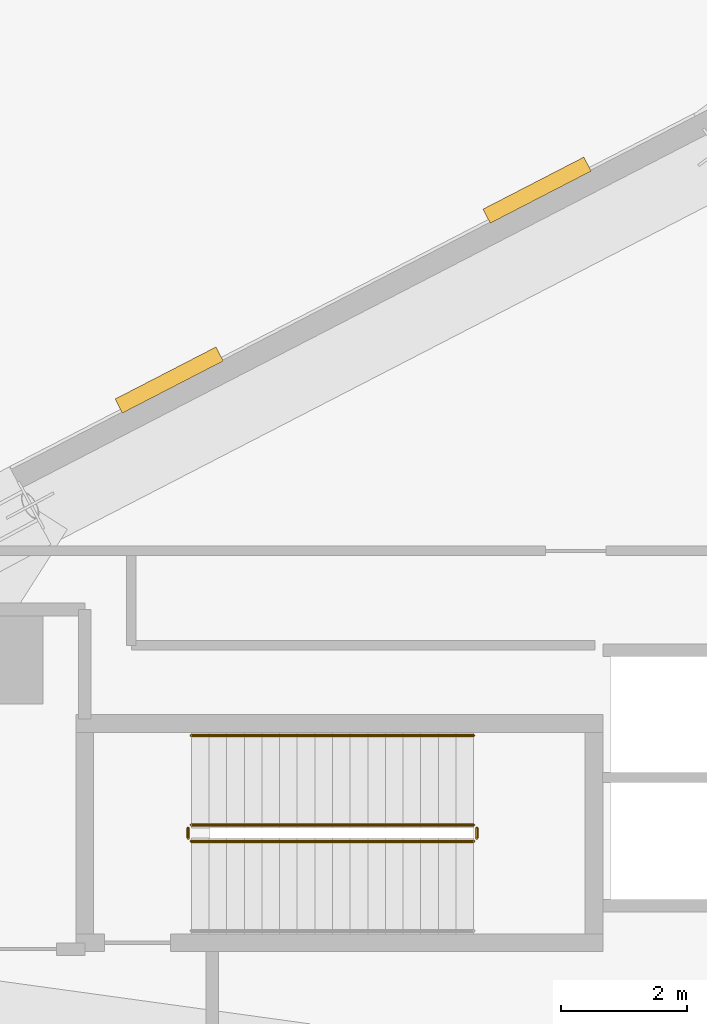
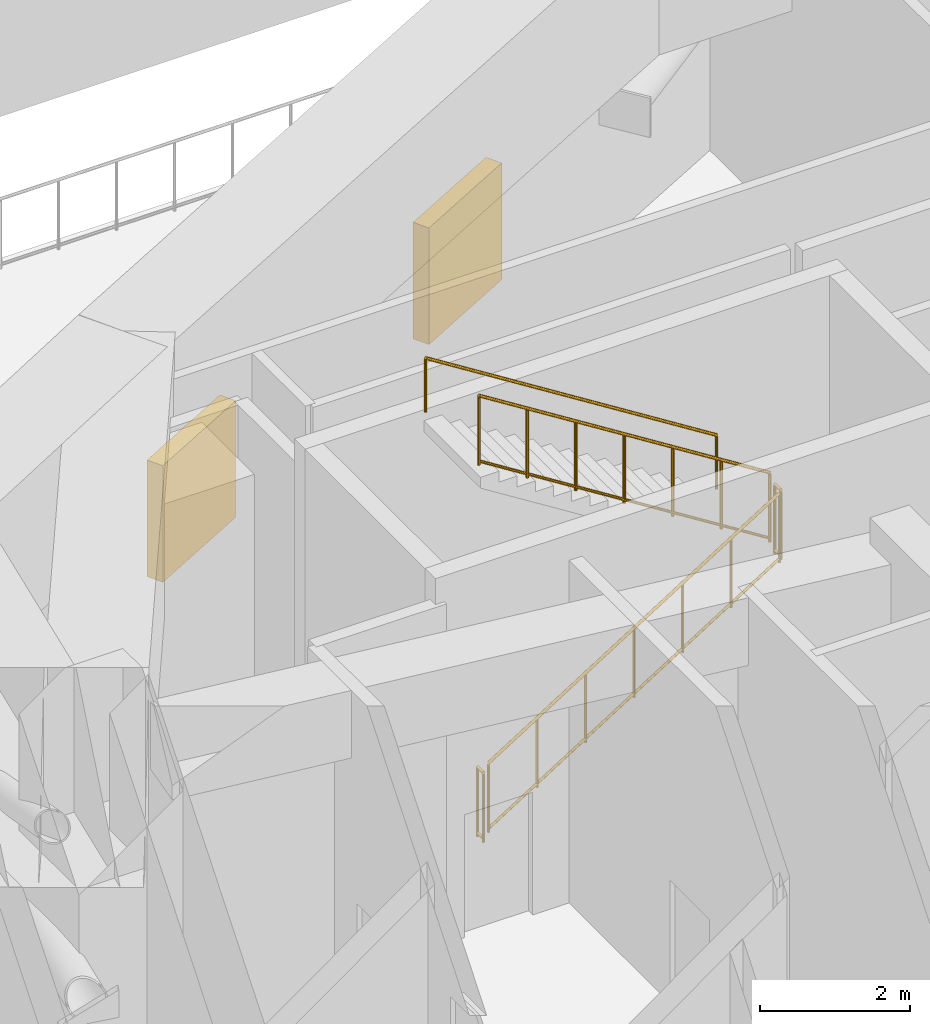
# One storey, part 14 of 15: 5 railings, 2 shading devices.
"""IFC4 building model written with IfcOpenShell, lengths in metres."""

from ifc_helpers import new_model, si_unit, direction, frame, origin, origin_2d, place, context, subcontext, project, spatial, rectangle, circle, extrude, material, type_object, element, save


model = new_model("IFC4")

# Units and contexts
model_context = context("Model", 3, precision=1e-05, world=origin(), true_north=direction((0.0, 1.0)))
body_context = subcontext(model_context, "Body", "Model", "MODEL_VIEW")
ifc_project = project(units=[si_unit("LENGTHUNIT", "METRE"), si_unit("AREAUNIT", "SQUARE_METRE"), si_unit("VOLUMEUNIT", "CUBIC_METRE"), si_unit("PLANEANGLEUNIT", "RADIAN"), si_unit("MASSUNIT", "GRAM", prefix="KILO"), si_unit("THERMODYNAMICTEMPERATUREUNIT", "KELVIN"), si_unit("POWERUNIT", "WATT")], contexts=[model_context])

# Site, building, storey
site_placement = place(None, origin())
site = spatial("IfcSite", under=ifc_project, at=site_placement, CompositionType="ELEMENT")
building_placement = place(site_placement, origin())
building = spatial("IfcBuilding", under=site, at=building_placement, Name="Skarre Station Tower", CompositionType="ELEMENT")
storey_placement = place(building_placement, frame((0.0, 0.0, 21.0)))
storey = spatial("IfcBuildingStorey", under=building, at=storey_placement, Name="L05", CompositionType="ELEMENT", Elevation=21.0)

# Railings
ifc_material_1 = material(Name="Powder-Coated Tubular Steel", Category="steel")
railing_type_1 = type_object("IfcRailingType", Name="Painted Steel Ramp & Stair Handrail 920", PredefinedType="HANDRAIL", material=ifc_material_1)
railing_1_placement = place(storey_placement, frame((27.830078125, 34.64990234375, 3.176513671875)))
element("IfcRailing", 1, at=railing_1_placement, inside=storey, type_object=railing_type_1, Name="L05 ST-3 stair handrail 2", PredefinedType="HANDRAIL", context=body_context, shape_type="SweptSolid", body=[
    extrude(circle(Radius=0.02392578125, at=origin_2d()), frame((0.0, 0.0, 0.8759765625), z_axis=(-0.845997938375, 0.0, 0.533186166611), x_axis=(0.0, -1.0, 0.0)), (0.0, 0.0, 1.0), 5.29541015625),
    extrude(circle(Radius=0.02099609375, at=origin_2d()), origin(), (0.0, 0.0, 1.0), 0.851806640625),
    extrude(circle(Radius=0.02099609375, at=origin_2d()), frame((-4.47998046875, 0.0, 2.823486328125)), (0.0, 0.0, 1.0), 0.851806640625),
])
railing_type_2 = type_object("IfcRailingType", Name="Painted Steel Stairwell Guardrail 1100", PredefinedType="GUARDRAIL", material=ifc_material_1)
railing_2_placement = place(storey_placement, frame((23.35009765625, 32.969970703125, 0.176513671875)))
element("IfcRailing", 2, at=railing_2_placement, inside=storey, type_object=railing_type_2, Name="L05 ST-3 stair guard 1", PredefinedType="GUARDRAIL", context=body_context, shape_type="SweptSolid", body=[
    extrude(circle(Radius=0.02392578125, at=origin_2d()), frame((0.0, 0.0, 1.1259765625), z_axis=(0.845997938375, 0.0, 0.533186166611), x_axis=(0.0, 1.0, 0.0)), (0.0, 0.0, 1.0), 5.29541015625),
    extrude(circle(Radius=0.02099609375, at=origin_2d()), frame((0.0, 0.0, 0.06005859375), z_axis=(0.845997938375, 0.0, 0.533186166611), x_axis=(0.0, 1.0, 0.0)), (0.0, 0.0, 1.0), 5.29541015625),
    extrude(circle(Radius=0.02099609375, at=origin_2d()), origin(), (0.0, 0.0, 1.0), 1.101806640625),
    extrude(circle(Radius=0.02099609375, at=origin_2d()), frame((0.74658203125, 0.0, 0.470703125)), (0.0, 0.0, 1.0), 1.101806640625),
    extrude(circle(Radius=0.02099609375, at=origin_2d()), frame((1.493408203125, 0.0, 0.941162109375)), (0.0, 0.0, 1.0), 1.101806640625),
    extrude(circle(Radius=0.02099609375, at=origin_2d()), frame((2.239990234375, 0.0, 1.41162109375)), (0.0, 0.0, 1.0), 1.101806640625),
    extrude(circle(Radius=0.02099609375, at=origin_2d()), frame((2.986572265625, 0.0, 1.88232421875)), (0.0, 0.0, 1.0), 1.101806640625),
    extrude(circle(Radius=0.02099609375, at=origin_2d()), frame((3.7333984375, 0.0, 2.35302734375)), (0.0, 0.0, 1.0), 1.101806640625),
    extrude(circle(Radius=0.02099609375, at=origin_2d()), frame((4.47998046875, 0.0, 2.823486328125)), (0.0, 0.0, 1.0), 1.101806640625),
])
railing_3_placement = place(storey_placement, frame((27.8798828125, 33.02001953125, 3.0)))
element("IfcRailing", 3, at=railing_3_placement, inside=storey, type_object=railing_type_2, Name="L05 ST-3 stair guard 2", PredefinedType="GUARDRAIL", context=body_context, shape_type="SweptSolid", body=[
    extrude(circle(Radius=0.02392578125, at=origin_2d()), frame((0.0, 0.0, 1.1259765625), z_axis=(0.0, 1.0, 0.0), x_axis=(-1.0, 0.0, 0.0)), (0.0, 0.0, 1.0), 0.159912109375),
    extrude(circle(Radius=0.02099609375, at=origin_2d()), frame((0.0, 0.0, 0.06005859375), z_axis=(0.0, 1.0, 0.0), x_axis=(-1.0, 0.0, 0.0)), (0.0, 0.0, 1.0), 0.159912109375),
    extrude(circle(Radius=0.02099609375, at=origin_2d()), origin(), (0.0, 0.0, 1.0), 1.101806640625),
    extrude(circle(Radius=0.02099609375, at=origin_2d()), frame((0.0, 0.159912109375, 0.0)), (0.0, 0.0, 1.0), 1.101806640625),
])
railing_4_placement = place(storey_placement, frame((27.830078125, 33.22998046875, 3.176513671875)))
element("IfcRailing", 4, at=railing_4_placement, inside=storey, type_object=railing_type_2, Name="L05 ST-3 stair guard 3", PredefinedType="GUARDRAIL", context=body_context, shape_type="SweptSolid", body=[
    extrude(circle(Radius=0.02392578125, at=origin_2d()), frame((0.0, 0.0, 1.1259765625), z_axis=(-0.845997938375, 0.0, 0.533186166611), x_axis=(0.0, -1.0, 0.0)), (0.0, 0.0, 1.0), 5.29541015625),
    extrude(circle(Radius=0.02099609375, at=origin_2d()), frame((0.0, 0.0, 0.06005859375), z_axis=(-0.845997938375, 0.0, 0.533186166611), x_axis=(0.0, -1.0, 0.0)), (0.0, 0.0, 1.0), 5.29541015625),
    extrude(circle(Radius=0.02099609375, at=origin_2d()), origin(), (0.0, 0.0, 1.0), 1.101806640625),
    extrude(circle(Radius=0.02099609375, at=origin_2d()), frame((-0.74658203125, 0.0, 0.470703125)), (0.0, 0.0, 1.0), 1.101806640625),
    extrude(circle(Radius=0.02099609375, at=origin_2d()), frame((-1.493408203125, 0.0, 0.941162109375)), (0.0, 0.0, 1.0), 1.101806640625),
    extrude(circle(Radius=0.02099609375, at=origin_2d()), frame((-2.239990234375, 0.0, 1.41162109375)), (0.0, 0.0, 1.0), 1.101806640625),
    extrude(circle(Radius=0.02099609375, at=origin_2d()), frame((-2.986572265625, 0.0, 1.88232421875)), (0.0, 0.0, 1.0), 1.101806640625),
    extrude(circle(Radius=0.02099609375, at=origin_2d()), frame((-3.7333984375, 0.0, 2.35302734375)), (0.0, 0.0, 1.0), 1.101806640625),
    extrude(circle(Radius=0.02099609375, at=origin_2d()), frame((-4.47998046875, 0.0, 2.823486328125)), (0.0, 0.0, 1.0), 1.101806640625),
])
railing_5_placement = place(storey_placement, frame((23.300048828125, 33.02001953125, 0.0)))
element("IfcRailing", 5, at=railing_5_placement, inside=storey, type_object=railing_type_2, Name="L05 ST-3 stair guard 4", PredefinedType="GUARDRAIL", context=body_context, shape_type="SweptSolid", body=[
    extrude(circle(Radius=0.02392578125, at=origin_2d()), frame((0.0, 0.0, 1.1259765625), z_axis=(0.0, 1.0, 0.0), x_axis=(-1.0, 0.0, 0.0)), (0.0, 0.0, 1.0), 0.159912109375),
    extrude(circle(Radius=0.02099609375, at=origin_2d()), frame((0.0, 0.0, 0.06005859375), z_axis=(0.0, 1.0, 0.0), x_axis=(-1.0, 0.0, 0.0)), (0.0, 0.0, 1.0), 0.159912109375),
    extrude(circle(Radius=0.02099609375, at=origin_2d()), origin(), (0.0, 0.0, 1.0), 1.101806640625),
    extrude(circle(Radius=0.02099609375, at=origin_2d()), frame((0.0, 0.159912109375, 0.0)), (0.0, 0.0, 1.0), 1.101806640625),
])

# Shading devices
ifc_material_2 = material(Name="Powder-Coated Aluminium Acoustic Louvre", Category="aluminium")
shading_device_type = type_object("IfcShadingDeviceType", Name="Plant Intake Acoustic Weather Louvre 1800x2200", PredefinedType="JALOUSIE", material=ifc_material_2)
for number, where, z_axis, x_axis, name in (
    (6, (22.9990234375, 40.291015625, 0.5), (0.0, 0.0, 1.0), (-0.458618535612, 0.888633242003, 0.0), "L05 Facet 1 Mechanical Intake Louvre 1"),
    (7, (28.8369140625, 43.303955078125, 0.5), (0.0, 0.0, 1.0), (-0.458618535612, 0.888633242003, 0.0), "L05 Facet 1 Mechanical Intake Louvre 2"),
):
    element("IfcShadingDevice", number, at=place(storey_placement, frame(where, z_axis=z_axis, x_axis=x_axis)), inside=storey, type_object=shading_device_type, Name=name, PredefinedType="JALOUSIE", context=body_context, shape_type="SweptSolid", body=[
        extrude(rectangle(XDim=0.25, YDim=1.800048828125, at=origin_2d()), origin(), (0.0, 0.0, 1.0), 1.89990234375),
    ])

save(model, "model.ifc")
